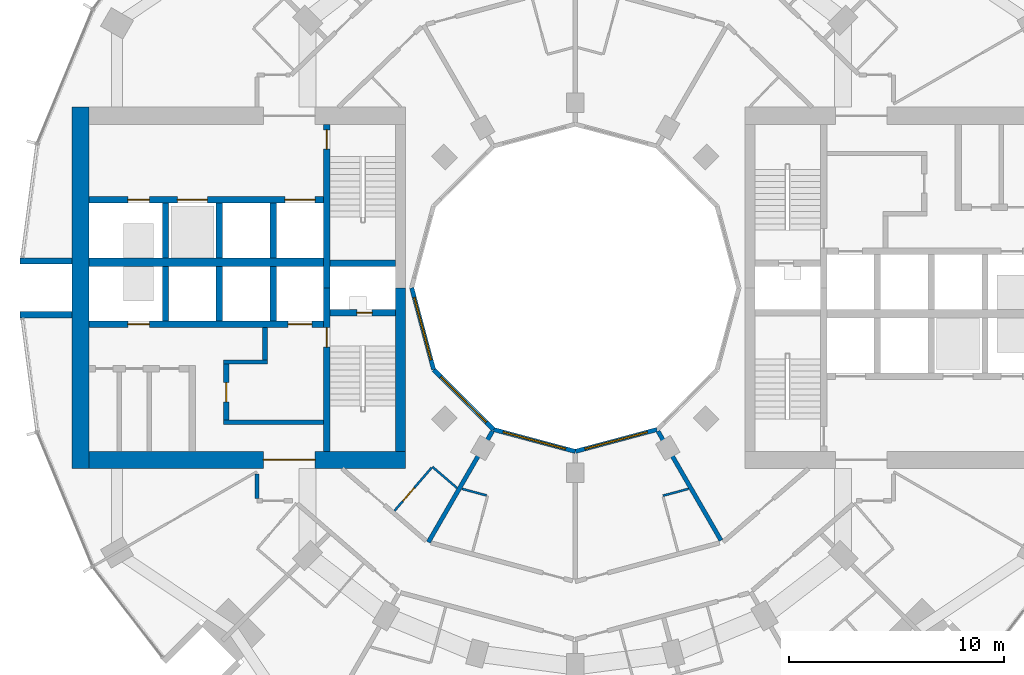
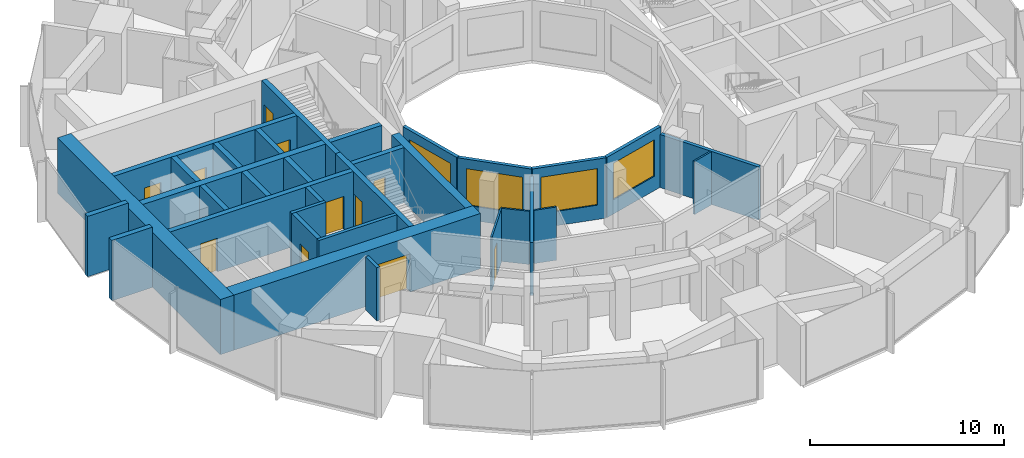
# One storey, part 9 of 15: 33 walls, 11 doors, 4 windows, 15 openings.
"""IFC4 building model written with IfcOpenShell, lengths in metres."""

from ifc_helpers import new_model, si_unit, direction, frame, frame_2d, origin, place, context, subcontext, project, spatial, rectangle, extrude, material, layer, layer_set, type_object, element, fill, save


model = new_model("IFC4")

# Units and contexts
model_context = context("Model", 3, precision=1e-05, world=origin(), true_north=direction((0.0, 1.0)))
body_context = subcontext(model_context, "Body", "Model", "MODEL_VIEW")
ifc_project = project(units=[si_unit("LENGTHUNIT", "METRE"), si_unit("AREAUNIT", "SQUARE_METRE"), si_unit("VOLUMEUNIT", "CUBIC_METRE"), si_unit("PLANEANGLEUNIT", "RADIAN"), si_unit("MASSUNIT", "GRAM", prefix="KILO")], contexts=[model_context])

# Site, building, storey
site_placement = place(None, origin())
site = spatial("IfcSite", under=ifc_project, at=site_placement, CompositionType="ELEMENT")
building_placement = place(site_placement, origin())
building = spatial("IfcBuilding", under=site, at=building_placement, Name="Torre Brocal", CompositionType="ELEMENT")
storey_placement = place(building_placement, frame((0.0, 0.0, 32.60009765625)))
storey = spatial("IfcBuildingStorey", under=building, at=storey_placement, Name="L06", CompositionType="ELEMENT", Elevation=32.60009765625)

# Walls
ifc_material_1 = material(Name="Concrete C80", Category="concrete")
ifc_layer_1 = layer(ifc_material_1, 0.199951171875)
ifc_layer_set_1 = layer_set([ifc_layer_1], Name="Concrete C80")
wall_type_1 = type_object("IfcWallType", Name="CORE WALL 200 C80", PredefinedType="SHEAR", material=ifc_layer_set_1)
wall_1_placement = place(storey_placement, frame((68.300048828125, 68.75, 0.0), z_axis=(0.0, 0.0, 1.0), x_axis=(-1.0, 0.0, 0.0)))
element("IfcWall", 1, at=wall_1_placement, inside=storey, type_object=wall_type_1, Name="Wall CW200-80", PredefinedType="SHEAR", context=body_context, shape_type="SweptSolid", body=[
    extrude(rectangle(XDim=4.650146484375, YDim=0.199951171875, at=frame_2d((2.3251953125, 0.0))), origin(), (0.0, 0.0, 1.0), 3.47998046875),
])
wall_2_placement = place(storey_placement, frame((65.699951171875, 71.550048828125, 0.0), z_axis=(0.0, 0.0, 1.0), x_axis=(-1.0, 0.0, 0.0)))
element("IfcWall", 2, at=wall_2_placement, inside=storey, type_object=wall_type_1, Name="Wall CW200-80", PredefinedType="SHEAR", context=body_context, shape_type="SweptSolid", body=[
    extrude(rectangle(XDim=2.050048828125, YDim=0.199951171875, at=frame_2d((1.02490234375, 0.0))), origin(), (0.0, 0.0, 1.0), 3.47998046875),
])

# Wall, opening, door
ifc_material_2 = material(Name="Concrete C80", Category="concrete")
ifc_layer_2 = layer(ifc_material_2, 0.25)
ifc_layer_set_2 = layer_set([ifc_layer_2], Name="Concrete C80")
wall_type_2 = type_object("IfcWallType", Name="CORE WALL 250 C80", PredefinedType="SHEAR", material=ifc_layer_set_2)
wall_3_placement = place(storey_placement, frame((63.77490234375, 71.449951171875, 0.0), z_axis=(0.0, 0.0, 1.0), x_axis=(0.0, -1.0, 0.0)))
wall_3 = element("IfcWall", 3, at=wall_3_placement, inside=storey, type_object=wall_type_2, Name="Wall CW250-80", PredefinedType="SHEAR", context=body_context, shape_type="SweptSolid", body=[
    extrude(rectangle(XDim=2.599853515625, YDim=0.25, at=frame_2d((1.2998046875, 0.0))), origin(), (0.0, 0.0, 1.0), 3.47998046875),
])
opening_1_placement = place(wall_3_placement, frame((0.85009765625, 0.0, 0.0)))
opening_1 = element("IfcOpeningElement", 4, at=opening_1_placement, cuts=wall_3, Name="Opening W-D15", PredefinedType="OPENING", context=body_context, shape_type="SweptSolid", body=[
    extrude(rectangle(XDim=0.89990234375, YDim=2.10009765625, at=frame_2d((0.449951171875, 1.050048828125))), frame((0.0, 0.135009765625, 0.0), z_axis=(0.0, -1.0, 0.0), x_axis=(1.0, 0.0, 0.0)), (0.0, 0.0, 1.0), 0.27001953125),
])
ifc_material_3 = material(Name="Steel A653", Category="steel")
door_type_1 = type_object("IfcDoorType", Name="LOBBY DOOR FD120 900X2100", OperationType="SINGLE_SWING_RIGHT", PredefinedType="DOOR", material=ifc_material_3)
door_1_placement = place(opening_1_placement, origin())
door_1 = element("IfcDoor", 5, at=door_1_placement, inside=storey, type_object=door_type_1, Name="Door W-D15", OperationType="SINGLE_SWING_LEFT", OverallHeight=2.10009765625, OverallWidth=0.89990234375, PredefinedType="DOOR", context=body_context, shape_type="SweptSolid", body=[
    extrude(rectangle(XDim=0.89990234375, YDim=2.10009765625, at=frame_2d((0.449951171875, 1.050048828125))), frame((0.0, 0.02490234375, 0.0), z_axis=(0.0, -1.0, 0.0), x_axis=(1.0, 0.0, 0.0)), (0.0, 0.0, 1.0), 0.050048828125),
])
fill(opening_1, door_1)

# Wall
wall_4_placement = place(storey_placement, frame((65.574951171875, 73.14990234375, 0.0), z_axis=(0.0, 0.0, 1.0), x_axis=(0.0, -1.0, 0.0)))
element("IfcWall", 6, at=wall_4_placement, inside=storey, type_object=wall_type_2, Name="Wall CW250-80", PredefinedType="SHEAR", context=body_context, shape_type="SweptSolid", body=[
    extrude(rectangle(XDim=1.5, YDim=0.25, at=frame_2d((0.75, 0.0))), origin(), (0.0, 0.0, 1.0), 3.47998046875),
])

# Wall, opening, door
ifc_material_4 = material(Name="Concrete C80", Category="concrete")
ifc_layer_3 = layer(ifc_material_4, 0.300048828125)
ifc_layer_set_3 = layer_set([ifc_layer_3], Name="Concrete C80")
wall_type_3 = type_object("IfcWallType", Name="CORE WALL 300 C80", PredefinedType="SHEAR", material=ifc_layer_set_3)
wall_5_placement = place(storey_placement, frame((68.449951171875, 75.0, 0.0), z_axis=(0.0, 0.0, 1.0), x_axis=(0.0, -1.0, 0.0)))
wall_5 = element("IfcWall", 7, at=wall_5_placement, inside=storey, type_object=wall_type_3, Name="Wall CW300-80", PredefinedType="SHEAR", context=body_context, shape_type="SweptSolid", body=[
    extrude(rectangle(XDim=7.60009765625, YDim=0.300048828125, at=frame_2d((3.800048828125, 0.0))), origin(), (0.0, 0.0, 1.0), 3.47998046875),
])
opening_2_placement = place(wall_5_placement, frame((1.85009765625, 0.0, 0.0)))
opening_2 = element("IfcOpeningElement", 8, at=opening_2_placement, cuts=wall_5, Name="Opening W-D02", PredefinedType="OPENING", context=body_context, shape_type="SweptSolid", body=[
    extrude(rectangle(XDim=0.89990234375, YDim=2.10009765625, at=frame_2d((0.449951171875, 1.050048828125))), frame((0.0, 0.159912109375, 0.0), z_axis=(0.0, -1.0, 0.0), x_axis=(1.0, 0.0, 0.0)), (0.0, 0.0, 1.0), 0.320068359375),
])
ifc_material_5 = material(Name="Steel A653", Category="steel")
door_type_2 = type_object("IfcDoorType", Name="STAIR DOOR FD120 900X2100", OperationType="SINGLE_SWING_RIGHT", PredefinedType="DOOR", material=ifc_material_5)
door_2_placement = place(opening_2_placement, origin())
door_2 = element("IfcDoor", 9, at=door_2_placement, inside=storey, type_object=door_type_2, Name="Door W-D02", OperationType="SINGLE_SWING_LEFT", OverallHeight=2.10009765625, OverallWidth=0.89990234375, PredefinedType="DOOR", context=body_context, shape_type="SweptSolid", body=[
    extrude(rectangle(XDim=0.89990234375, YDim=2.10009765625, at=frame_2d((0.449951171875, 1.050048828125))), frame((0.0, 0.02490234375, 0.0), z_axis=(0.0, -1.0, 0.0), x_axis=(1.0, 0.0, 0.0)), (0.0, 0.0, 1.0), 0.050048828125),
])
fill(opening_2, door_2)

wall_6_placement = place(storey_placement, frame((68.449951171875, 82.60009765625, 0.0), z_axis=(0.0, 0.0, 1.0), x_axis=(0.0, -1.0, 0.0)))
wall_6 = element("IfcWall", 10, at=wall_6_placement, inside=storey, type_object=wall_type_3, Name="Wall CW300-80", PredefinedType="SHEAR", context=body_context, shape_type="SweptSolid", body=[
    extrude(rectangle(XDim=7.60009765625, YDim=0.300048828125, at=frame_2d((3.800048828125, 0.0))), origin(), (0.0, 0.0, 1.0), 3.47998046875),
])
opening_3_placement = place(wall_6_placement, frame((0.25, 0.0, 0.0)))
opening_3 = element("IfcOpeningElement", 11, at=opening_3_placement, cuts=wall_6, Name="Opening W-D03", PredefinedType="OPENING", context=body_context, shape_type="SweptSolid", body=[
    extrude(rectangle(XDim=0.89990234375, YDim=2.10009765625, at=frame_2d((0.449951171875, 1.050048828125))), frame((0.0, 0.159912109375, 0.0), z_axis=(0.0, -1.0, 0.0), x_axis=(1.0, 0.0, 0.0)), (0.0, 0.0, 1.0), 0.320068359375),
])
door_3_placement = place(opening_3_placement, origin())
door_3 = element("IfcDoor", 12, at=door_3_placement, inside=storey, type_object=door_type_2, Name="Door W-D03", OperationType="SINGLE_SWING_LEFT", OverallHeight=2.10009765625, OverallWidth=0.89990234375, PredefinedType="DOOR", context=body_context, shape_type="SweptSolid", body=[
    extrude(rectangle(XDim=0.89990234375, YDim=2.10009765625, at=frame_2d((0.449951171875, 1.050048828125))), frame((0.0, 0.02490234375, 0.0), z_axis=(0.0, -1.0, 0.0), x_axis=(1.0, 0.0, 0.0)), (0.0, 0.0, 1.0), 0.050048828125),
])
fill(opening_3, door_3)

wall_7_placement = place(storey_placement, frame((71.64990234375, 73.85009765625, 0.0), z_axis=(0.0, 0.0, 1.0), x_axis=(-1.0, 0.0, 0.0)))
wall_7 = element("IfcWall", 13, at=wall_7_placement, inside=storey, type_object=wall_type_3, Name="Wall CW300-80", PredefinedType="SHEAR", context=body_context, shape_type="SweptSolid", body=[
    extrude(rectangle(XDim=3.0498046875, YDim=0.300048828125, at=frame_2d((1.52490234375, 0.0))), origin(), (0.0, 0.0, 1.0), 3.47998046875),
])
opening_4_placement = place(wall_7_placement, frame((1.10009765625, 0.0, 0.0)))
opening_4 = element("IfcOpeningElement", 14, at=opening_4_placement, cuts=wall_7, Name="Opening W-D01", PredefinedType="OPENING", context=body_context, shape_type="SweptSolid", body=[
    extrude(rectangle(XDim=0.699951171875, YDim=2.0, at=frame_2d((0.35009765625, 1.0))), frame((0.0, 0.159912109375, 0.0), z_axis=(0.0, -1.0, 0.0), x_axis=(1.0, 0.0, 0.0)), (0.0, 0.0, 1.0), 0.320068359375),
])
ifc_material_6 = material(Name="Steel A653", Category="steel")
door_type_3 = type_object("IfcDoorType", Name="RISER DOOR FD120 700X2000", OperationType="SINGLE_SWING_LEFT", PredefinedType="DOOR", material=ifc_material_6)
door_4_placement = place(opening_4_placement, frame((0.699951171875, 0.0, 0.0), z_axis=(0.0, 0.0, 1.0), x_axis=(-1.0, 0.0, 0.0)))
door_4 = element("IfcDoor", 15, at=door_4_placement, inside=storey, type_object=door_type_3, Name="Door W-D01", OperationType="SINGLE_SWING_RIGHT", OverallHeight=2.0, OverallWidth=0.699951171875, PredefinedType="DOOR", context=body_context, shape_type="SweptSolid", body=[
    extrude(rectangle(XDim=0.699951171875, YDim=2.0, at=frame_2d((0.35009765625, 1.0))), frame((0.0, 0.02490234375, 0.0), z_axis=(0.0, -1.0, 0.0), x_axis=(1.0, 0.0, 0.0)), (0.0, 0.0, 1.0), 0.050048828125),
])
fill(opening_4, door_4)

# Wall
wall_8_placement = place(storey_placement, frame((71.64990234375, 76.14990234375, 0.0), z_axis=(0.0, 0.0, 1.0), x_axis=(-1.0, 0.0, 0.0)))
element("IfcWall", 16, at=wall_8_placement, inside=storey, type_object=wall_type_3, Name="Wall CW300-80", PredefinedType="SHEAR", context=body_context, shape_type="SweptSolid", body=[
    extrude(rectangle(XDim=3.0498046875, YDim=0.300048828125, at=frame_2d((1.52490234375, 0.0))), origin(), (0.0, 0.0, 1.0), 3.47998046875),
])

# Wall, openings, doors
wall_9_placement = place(storey_placement, frame((68.300048828125, 73.300048828125, 0.0), z_axis=(0.0, 0.0, 1.0), x_axis=(-1.0, 0.0, 0.0)))
wall_9 = element("IfcWall", 17, at=wall_9_placement, inside=storey, type_object=wall_type_3, Name="Wall CW300-80", PredefinedType="SHEAR", context=body_context, shape_type="SweptSolid", body=[
    extrude(rectangle(XDim=10.900146484375, YDim=0.300048828125, at=frame_2d((5.4501953125, 0.0))), origin(), (0.0, 0.0, 1.0), 3.47998046875),
])
opening_5_placement = place(wall_9_placement, frame((0.550048828125, 0.0, 0.0)))
opening_5 = element("IfcOpeningElement", 18, at=opening_5_placement, cuts=wall_9, Name="Opening LD", PredefinedType="OPENING", context=body_context, shape_type="SweptSolid", body=[
    extrude(rectangle(XDim=1.10009765625, YDim=2.10009765625, at=frame_2d((0.550048828125, 1.050048828125))), frame((0.0, 0.159912109375, 0.0), z_axis=(0.0, -1.0, 0.0), x_axis=(1.0, 0.0, 0.0)), (0.0, 0.0, 1.0), 0.320068359375),
])
opening_6_placement = place(wall_9_placement, frame((8.10009765625, 0.0, 0.0)))
opening_6 = element("IfcOpeningElement", 19, at=opening_6_placement, cuts=wall_9, Name="Opening LD10", PredefinedType="OPENING", context=body_context, shape_type="SweptSolid", body=[
    extrude(rectangle(XDim=1.0, YDim=2.10009765625, at=frame_2d((0.5, 1.050048828125))), frame((0.0, 0.159912109375, 0.0), z_axis=(0.0, -1.0, 0.0), x_axis=(1.0, 0.0, 0.0)), (0.0, 0.0, 1.0), 0.320068359375),
])
ifc_material_7 = material(Name="Stainless steel AISI 316", Category="steel")
door_type_4 = type_object("IfcDoorType", Name="LIFT LANDING DOOR 1000X2100", OperationType="DOUBLE_DOOR_SLIDING", PredefinedType="DOOR", material=ifc_material_7)
door_5_placement = place(opening_6_placement, origin())
door_5 = element("IfcDoor", 20, at=door_5_placement, inside=storey, type_object=door_type_4, Name="Door LD10", OperationType="DOUBLE_DOOR_SLIDING", OverallHeight=2.10009765625, OverallWidth=1.0, PredefinedType="DOOR", context=body_context, shape_type="SweptSolid", body=[
    extrude(rectangle(XDim=1.0, YDim=2.10009765625, at=frame_2d((0.5, 1.050048828125))), frame((0.0, 0.02490234375, 0.0), z_axis=(0.0, -1.0, 0.0), x_axis=(1.0, 0.0, 0.0)), (0.0, 0.0, 1.0), 0.050048828125),
])
fill(opening_6, door_5)
ifc_material_8 = material(Name="Stainless steel AISI 316", Category="steel")
door_type_5 = type_object("IfcDoorType", Name="LIFT LANDING DOOR 1100X2100", OperationType="DOUBLE_DOOR_SLIDING", PredefinedType="DOOR", material=ifc_material_8)
door_6_placement = place(opening_5_placement, origin())
door_6 = element("IfcDoor", 21, at=door_6_placement, inside=storey, type_object=door_type_5, Name="Door LD", OperationType="DOUBLE_DOOR_SLIDING", OverallHeight=2.10009765625, OverallWidth=1.10009765625, PredefinedType="DOOR", context=body_context, shape_type="SweptSolid", body=[
    extrude(rectangle(XDim=1.10009765625, YDim=2.10009765625, at=frame_2d((0.550048828125, 1.050048828125))), frame((0.0, 0.02490234375, 0.0), z_axis=(0.0, -1.0, 0.0), x_axis=(1.0, 0.0, 0.0)), (0.0, 0.0, 1.0), 0.050048828125),
])
fill(opening_5, door_6)

wall_10_placement = place(storey_placement, frame((68.300048828125, 79.10009765625, 0.0), z_axis=(0.0, 0.0, 1.0), x_axis=(-1.0, 0.0, 0.0)))
wall_10 = element("IfcWall", 22, at=wall_10_placement, inside=storey, type_object=wall_type_3, Name="Wall CW300-80", PredefinedType="SHEAR", context=body_context, shape_type="SweptSolid", body=[
    extrude(rectangle(XDim=10.900146484375, YDim=0.300048828125, at=frame_2d((5.4501953125, 0.0))), origin(), (0.0, 0.0, 1.0), 3.47998046875),
])
opening_7_placement = place(wall_10_placement, frame((0.39990234375, 0.0, 0.0)))
opening_7 = element("IfcOpeningElement", 23, at=opening_7_placement, cuts=wall_10, Name="Opening LD14", PredefinedType="OPENING", context=body_context, shape_type="SweptSolid", body=[
    extrude(rectangle(XDim=1.39990234375, YDim=2.10009765625, at=frame_2d((0.699951171875, 1.050048828125))), frame((0.0, 0.159912109375, 0.0), z_axis=(0.0, -1.0, 0.0), x_axis=(1.0, 0.0, 0.0)), (0.0, 0.0, 1.0), 0.320068359375),
])
opening_8_placement = place(wall_10_placement, frame((5.39990234375, 0.0, 0.0)))
opening_8 = element("IfcOpeningElement", 24, at=opening_8_placement, cuts=wall_10, Name="Opening LD14", PredefinedType="OPENING", context=body_context, shape_type="SweptSolid", body=[
    extrude(rectangle(XDim=1.39990234375, YDim=2.10009765625, at=frame_2d((0.699951171875, 1.050048828125))), frame((0.0, 0.159912109375, 0.0), z_axis=(0.0, -1.0, 0.0), x_axis=(1.0, 0.0, 0.0)), (0.0, 0.0, 1.0), 0.320068359375),
])
opening_9_placement = place(wall_10_placement, frame((8.10009765625, 0.0, 0.0)))
opening_9 = element("IfcOpeningElement", 25, at=opening_9_placement, cuts=wall_10, Name="Opening LD10", PredefinedType="OPENING", context=body_context, shape_type="SweptSolid", body=[
    extrude(rectangle(XDim=1.0, YDim=2.10009765625, at=frame_2d((0.5, 1.050048828125))), frame((0.0, 0.159912109375, 0.0), z_axis=(0.0, -1.0, 0.0), x_axis=(1.0, 0.0, 0.0)), (0.0, 0.0, 1.0), 0.320068359375),
])
door_7_placement = place(opening_9_placement, origin())
door_7 = element("IfcDoor", 26, at=door_7_placement, inside=storey, type_object=door_type_4, Name="Door LD10", OperationType="DOUBLE_DOOR_SLIDING", OverallHeight=2.10009765625, OverallWidth=1.0, PredefinedType="DOOR", context=body_context, shape_type="SweptSolid", body=[
    extrude(rectangle(XDim=1.0, YDim=2.10009765625, at=frame_2d((0.5, 1.050048828125))), frame((0.0, 0.02490234375, 0.0), z_axis=(0.0, -1.0, 0.0), x_axis=(1.0, 0.0, 0.0)), (0.0, 0.0, 1.0), 0.050048828125),
])
fill(opening_9, door_7)
ifc_material_9 = material(Name="Stainless steel AISI 316", Category="steel")
door_type_6 = type_object("IfcDoorType", Name="LIFT LANDING DOOR 1400X2100", OperationType="DOUBLE_DOOR_SLIDING", PredefinedType="DOOR", material=ifc_material_9)
door_8_placement = place(opening_7_placement, origin())
door_8 = element("IfcDoor", 27, at=door_8_placement, inside=storey, type_object=door_type_6, Name="Door LD14", OperationType="DOUBLE_DOOR_SLIDING", OverallHeight=2.10009765625, OverallWidth=1.39990234375, PredefinedType="DOOR", context=body_context, shape_type="SweptSolid", body=[
    extrude(rectangle(XDim=1.39990234375, YDim=2.10009765625, at=frame_2d((0.699951171875, 1.050048828125))), frame((0.0, 0.02490234375, 0.0), z_axis=(0.0, -1.0, 0.0), x_axis=(1.0, 0.0, 0.0)), (0.0, 0.0, 1.0), 0.050048828125),
])
fill(opening_7, door_8)
door_9_placement = place(opening_8_placement, origin())
door_9 = element("IfcDoor", 28, at=door_9_placement, inside=storey, type_object=door_type_6, Name="Door LD14", OperationType="DOUBLE_DOOR_SLIDING", OverallHeight=2.10009765625, OverallWidth=1.39990234375, PredefinedType="DOOR", context=body_context, shape_type="SweptSolid", body=[
    extrude(rectangle(XDim=1.39990234375, YDim=2.10009765625, at=frame_2d((0.699951171875, 1.050048828125))), frame((0.0, 0.02490234375, 0.0), z_axis=(0.0, -1.0, 0.0), x_axis=(1.0, 0.0, 0.0)), (0.0, 0.0, 1.0), 0.050048828125),
])
fill(opening_8, door_9)

# Walls
for number, where, z_axis, x_axis, name in (
    (29, (65.949951171875, 76.0, 0.0), (0.0, 0.0, 1.0), (0.0, -1.0, 0.0), "Wall CW300-80"),
    (30, (63.449951171875, 76.0, 0.0), (0.0, 0.0, 1.0), (0.0, -1.0, 0.0), "Wall CW300-80"),
    (31, (60.949951171875, 76.0, 0.0), (0.0, 0.0, 1.0), (0.0, -1.0, 0.0), "Wall CW300-80"),
    (32, (65.949951171875, 78.949951171875, 0.0), (0.0, 0.0, 1.0), (0.0, -1.0, 0.0), "Wall CW300-80"),
    (33, (63.449951171875, 78.949951171875, 0.0), (0.0, 0.0, 1.0), (0.0, -1.0, 0.0), "Wall CW300-80"),
    (34, (60.949951171875, 78.949951171875, 0.0), (0.0, 0.0, 1.0), (0.0, -1.0, 0.0), "Wall CW300-80"),
):
    element("IfcWall", number, at=place(storey_placement, frame(where, z_axis=z_axis, x_axis=x_axis)), inside=storey, type_object=wall_type_3, Name=name, PredefinedType="SHEAR", context=body_context, shape_type="SweptSolid", body=[
        extrude(rectangle(XDim=2.550048828125, YDim=0.300048828125, at=frame_2d((1.27490234375, 0.0))), origin(), (0.0, 0.0, 1.0), 3.47998046875),
    ])
ifc_material_10 = material(Name="Concrete C80", Category="concrete")
ifc_layer_4 = layer(ifc_material_10, 0.39990234375)
ifc_layer_set_4 = layer_set([ifc_layer_4], Name="Concrete C80")
wall_type_4 = type_object("IfcWallType", Name="CORE WALL 400 C80", PredefinedType="SHEAR", material=ifc_layer_set_4)
wall_11_placement = place(storey_placement, frame((68.300048828125, 76.199951171875, 0.0), z_axis=(0.0, 0.0, 1.0), x_axis=(-1.0, 0.0, 0.0)))
element("IfcWall", 35, at=wall_11_placement, inside=storey, type_object=wall_type_4, Name="Wall CW400-80", PredefinedType="SHEAR", context=body_context, shape_type="SweptSolid", body=[
    extrude(rectangle(XDim=10.900146484375, YDim=0.39990234375, at=frame_2d((5.4501953125, 0.0))), origin(), (0.0, 0.0, 1.0), 3.47998046875),
])
ifc_material_11 = material(Name="Concrete C80", Category="concrete")
ifc_layer_5 = layer(ifc_material_11, 0.449951171875)
ifc_layer_set_5 = layer_set([ifc_layer_5], Name="Concrete C80")
wall_type_5 = type_object("IfcWallType", Name="CORE WALL 450 C80", PredefinedType="SHEAR", material=ifc_layer_set_5)
wall_12_placement = place(storey_placement, frame((71.875, 75.0, 0.0), z_axis=(0.0, 0.0, 1.0), x_axis=(0.0, -1.0, 0.0)))
element("IfcWall", 36, at=wall_12_placement, inside=storey, type_object=wall_type_5, Name="Wall CW450-80", PredefinedType="SHEAR", context=body_context, shape_type="SweptSolid", body=[
    extrude(rectangle(XDim=7.60009765625, YDim=0.449951171875, at=frame_2d((3.800048828125, 0.0))), origin(), (0.0, 0.0, 1.0), 3.47998046875),
])

# Wall, opening, door
ifc_material_12 = material(Name="Concrete C80", Category="concrete")
ifc_layer_6 = layer(ifc_material_12, 0.800048828125)
ifc_layer_set_6 = layer_set([ifc_layer_6], Name="Concrete C80")
wall_type_6 = type_object("IfcWallType", Name="CORE WALL 800 C80", PredefinedType="SHEAR", material=ifc_layer_set_6)
wall_13_placement = place(storey_placement, frame((72.10009765625, 67.0, 0.0), z_axis=(0.0, 0.0, 1.0), x_axis=(-1.0, 0.0, 0.0)))
wall_13 = element("IfcWall", 37, at=wall_13_placement, inside=storey, type_object=wall_type_6, Name="Wall CW800-80", PredefinedType="SHEAR", context=body_context, shape_type="SweptSolid", body=[
    extrude(rectangle(XDim=14.7001953125, YDim=0.800048828125, at=frame_2d((7.35009765625, 0.0))), origin(), (0.0, 0.0, 1.0), 3.47998046875),
])
opening_10_placement = place(wall_13_placement, frame((4.199951171875, 0.0, 0.0)))
opening_10 = element("IfcOpeningElement", 38, at=opening_10_placement, cuts=wall_13, Name="Opening W-D27", PredefinedType="OPENING", context=body_context, shape_type="SweptSolid", body=[
    extrude(rectangle(XDim=2.39990234375, YDim=2.39990234375, at=frame_2d((1.199951171875, 1.199951171875))), frame((0.0, 0.409912109375, 0.0), z_axis=(0.0, -1.0, 0.0), x_axis=(1.0, 0.0, 0.0)), (0.0, 0.0, 1.0), 0.820068359375),
])
ifc_material_13 = material(Name="Steel A653", Category="steel")
door_type_7 = type_object("IfcDoorType", Name="DOUBLE FIRE DOOR FD90 2400X2400", OperationType="DOUBLE_DOOR_SINGLE_SWING", PredefinedType="DOOR", material=ifc_material_13)
door_10_placement = place(opening_10_placement, frame((2.39990234375, 0.0, 0.0), z_axis=(0.0, 0.0, 1.0), x_axis=(-1.0, 0.0, 0.0)))
door_10 = element("IfcDoor", 39, at=door_10_placement, inside=storey, type_object=door_type_7, Name="Door W-D27", OperationType="DOUBLE_DOOR_SINGLE_SWING", OverallHeight=2.39990234375, OverallWidth=2.39990234375, PredefinedType="DOOR", context=body_context, shape_type="SweptSolid", body=[
    extrude(rectangle(XDim=2.39990234375, YDim=2.39990234375, at=frame_2d((1.199951171875, 1.199951171875))), frame((0.0, 0.02490234375, 0.0), z_axis=(0.0, -1.0, 0.0), x_axis=(1.0, 0.0, 0.0)), (0.0, 0.0, 1.0), 0.050048828125),
])
fill(opening_10, door_10)

# Walls
wall_14_placement = place(storey_placement, frame((57.0, 83.39990234375, 0.0), z_axis=(0.0, 0.0, 1.0), x_axis=(0.0, -1.0, 0.0)))
element("IfcWall", 40, at=wall_14_placement, inside=storey, type_object=wall_type_6, Name="Wall CW800-80", PredefinedType="SHEAR", context=body_context, shape_type="SweptSolid", body=[
    extrude(rectangle(XDim=16.7998046875, YDim=0.800048828125, at=frame_2d((8.39990234375, 0.0))), origin(), (0.0, 0.0, 1.0), 3.47998046875),
])
ifc_material_14 = material(Name="Concrete C80", Category="concrete")
ifc_layer_7 = layer(ifc_material_14, 0.300048828125)
ifc_layer_set_7 = layer_set([ifc_layer_7], Name="Concrete C80")
wall_type_7 = type_object("IfcWallType", Name="NOTCH RETURN WALL 300 C80", PredefinedType="NOTDEFINED", material=ifc_layer_set_7)
for number, where, z_axis, x_axis, name in (
    (41, (56.60009765625, 76.25, 0.0), (0.0, 0.0, 1.0), (-1.0, 0.0, 0.0), "NOTCH RETURN WALL"),
    (42, (56.60009765625, 73.75, 0.0), (0.0, 0.0, 1.0), (-1.0, 0.0, 0.0), "NOTCH RETURN WALL"),
):
    element("IfcWall", number, at=place(storey_placement, frame(where, z_axis=z_axis, x_axis=x_axis)), inside=storey, type_object=wall_type_7, Name=name, PredefinedType="NOTDEFINED", context=body_context, shape_type="SweptSolid", body=[
        extrude(rectangle(XDim=2.415771484375, YDim=0.300048828125, at=frame_2d((1.2080078125, 0.0))), origin(), (0.0, 0.0, 1.0), 3.7998046875),
    ])

# Wall, opening, door
ifc_material_15 = material(Name="Gypsum board", Category="Gypsum")
ifc_layer_8 = layer(ifc_material_15, 0.10009765625)
ifc_layer_set_8 = layer_set([ifc_layer_8], Name="Gypsum board")
wall_type_8 = type_object("IfcWallType", Name="PARTITION 100", PredefinedType="PARTITIONING", material=ifc_layer_set_8)
wall_15_placement = place(storey_placement, frame((71.59619140625, 64.634765625, 0.0), z_axis=(0.0, 0.0, 1.0), x_axis=(0.652285007511, 0.757973791748, 0.0)))
wall_15 = element("IfcWall", 43, at=wall_15_placement, inside=storey, type_object=wall_type_8, Name="BATHROOM WALL", PredefinedType="PARTITIONING", context=body_context, shape_type="SweptSolid", body=[
    extrude(rectangle(XDim=2.649658203125, YDim=0.10009765625, at=frame_2d((1.32470703125, 0.0))), origin(), (0.0, 0.0, 1.0), 3.349853515625),
])
opening_11_placement = place(wall_15_placement, frame((0.599609375, 0.0, 0.0)))
opening_11 = element("IfcOpeningElement", 44, at=opening_11_placement, cuts=wall_15, Name="Opening H01-D49", PredefinedType="OPENING", context=body_context, shape_type="SweptSolid", body=[
    extrude(rectangle(XDim=0.800048828125, YDim=2.10009765625, at=frame_2d((0.39990234375, 1.050048828125))), frame((0.0, 0.06005859375, 0.0), z_axis=(0.0, -1.0, 0.0), x_axis=(1.0, 0.0, 0.0)), (0.0, 0.0, 1.0), 0.1201171875),
])
ifc_material_16 = material(Name="Timber", Category="wood")
door_type_8 = type_object("IfcDoorType", Name="BATHROOM DOOR 800X2100", OperationType="SINGLE_SWING_LEFT", PredefinedType="DOOR", material=ifc_material_16)
door_11_placement = place(opening_11_placement, frame((0.800048828125, 0.0, 0.0), z_axis=(0.0, 0.0, 1.0), x_axis=(-1.0, 0.0, 0.0)))
door_11 = element("IfcDoor", 45, at=door_11_placement, inside=storey, type_object=door_type_8, Name="H01-D49", OperationType="SINGLE_SWING_RIGHT", OverallHeight=2.10009765625, OverallWidth=0.800048828125, PredefinedType="DOOR", context=body_context, shape_type="SweptSolid", body=[
    extrude(rectangle(XDim=0.800048828125, YDim=2.10009765625, at=frame_2d((0.39990234375, 1.050048828125))), frame((0.0, 0.02490234375, 0.0), z_axis=(0.0, -1.0, 0.0), x_axis=(1.0, 0.0, 0.0)), (0.0, 0.0, 1.0), 0.050048828125),
])
fill(opening_11, door_11)

# Walls
wall_16_placement = place(storey_placement, frame((73.35693359375, 66.680908203125, 0.0), z_axis=(0.0, 0.0, 1.0), x_axis=(0.758263469747, -0.651948242154, 0.0)))
element("IfcWall", 46, at=wall_16_placement, inside=storey, type_object=wall_type_8, Name="BATHROOM WALL", PredefinedType="PARTITIONING", context=body_context, shape_type="SweptSolid", body=[
    extrude(rectangle(XDim=1.510986328125, YDim=0.10009765625, at=frame_2d((0.75537109375, 0.0))), origin(), (0.0, 0.0, 1.0), 3.349853515625),
])
wall_17_placement = place(storey_placement, frame((74.729248046875, 65.657470703125, 0.0), z_axis=(0.0, 0.0, 1.0), x_axis=(0.965948051503, -0.258736085224, 0.0)))
element("IfcWall", 47, at=wall_17_placement, inside=storey, type_object=wall_type_8, Name="BATHROOM WALL", PredefinedType="PARTITIONING", context=body_context, shape_type="SweptSolid", body=[
    extrude(rectangle(XDim=1.18896484375, YDim=0.10009765625, at=frame_2d((0.594482421875, 0.0))), origin(), (0.0, 0.0, 1.0), 3.349853515625),
])
wall_18_placement = place(storey_placement, frame((84.073974609375, 65.3369140625, 0.0), z_axis=(0.0, 0.0, 1.0), x_axis=(0.965914351064, 0.258861867428, 0.0)))
element("IfcWall", 48, at=wall_18_placement, inside=storey, type_object=wall_type_8, Name="BATHROOM WALL", PredefinedType="PARTITIONING", context=body_context, shape_type="SweptSolid", body=[
    extrude(rectangle(XDim=1.22900390625, YDim=0.10009765625, at=frame_2d((0.614501953125, 0.0))), origin(), (0.0, 0.0, 1.0), 3.349853515625),
])
ifc_material_17 = material(Name="Gypsum board", Category="Gypsum")
ifc_layer_9 = layer(ifc_material_17, 0.199951171875)
ifc_layer_set_9 = layer_set([ifc_layer_9], Name="Gypsum board")
wall_type_9 = type_object("IfcWallType", Name="PARTITION 200 EI60", PredefinedType="PARTITIONING", material=ifc_layer_set_9)
wall_19_placement = place(storey_placement, frame((65.199951171875, 65.199951171875, 0.0), z_axis=(0.0, 0.0, 1.0), x_axis=(0.0, 1.0, 0.0)))
element("IfcWall", 49, at=wall_19_placement, inside=storey, type_object=wall_type_9, Name="GUESTROOM CORRIDOR WALL", PredefinedType="PARTITIONING", context=body_context, shape_type="SweptSolid", body=[
    extrude(rectangle(XDim=1.150146484375, YDim=0.199951171875, at=frame_2d((0.5751953125, 0.0))), origin(), (0.0, 0.0, 1.0), 3.349853515625),
])
wall_20_placement = place(storey_placement, frame((73.1708984375, 63.17724609375, 0.0), z_axis=(0.0, 0.0, 1.0), x_axis=(0.500257106344, 0.865876912472, 0.0)))
element("IfcWall", 50, at=wall_20_placement, inside=storey, type_object=wall_type_9, Name="BATHROOM WALL", PredefinedType="PARTITIONING", context=body_context, shape_type="SweptSolid", body=[
    extrude(rectangle(XDim=5.954833984375, YDim=0.199951171875, at=frame_2d((2.9775390625, 0.0))), origin(), (0.0, 0.0, 1.0), 3.349853515625),
])
wall_21_placement = place(storey_placement, frame((83.84814453125, 68.33251953125, 0.0), z_axis=(0.0, 0.0, 1.0), x_axis=(0.499951054106, -0.866053660865, 0.0)))
element("IfcWall", 51, at=wall_21_placement, inside=storey, type_object=wall_type_9, Name="BATHROOM WALL", PredefinedType="PARTITIONING", context=body_context, shape_type="SweptSolid", body=[
    extrude(rectangle(XDim=5.85498046875, YDim=0.199951171875, at=frame_2d((2.927490234375, 0.0))), origin(), (0.0, 0.0, 1.0), 3.349853515625),
])

# Wall, opening, window
ifc_material_18 = material(Name="Concrete C40", Category="concrete")
ifc_layer_10 = layer(ifc_material_18, 0.199951171875)
ifc_layer_set_10 = layer_set([ifc_layer_10], Name="Concrete C40")
wall_type_10 = type_object("IfcWallType", Name="WELL FACADE WALL 200", PredefinedType="NOTDEFINED", material=ifc_layer_set_10)
wall_22_placement = place(storey_placement, frame((72.396484375, 75.0, 0.0), z_axis=(0.0, 0.0, 1.0), x_axis=(0.258789828301, -0.965933654434, 0.0)))
wall_22 = element("IfcWall", 52, at=wall_22_placement, inside=storey, type_object=wall_type_10, Name="WELL FACADE WALL", PredefinedType="NOTDEFINED", context=body_context, shape_type="SweptSolid", body=[
    extrude(rectangle(XDim=3.935791015625, YDim=0.199951171875, at=frame_2d((1.9677734375, 0.0))), origin(), (0.0, 0.0, 1.0), 3.7998046875),
])
opening_12_placement = place(wall_22_placement, frame((0.468017578125, 0.0, 0.89990234375)))
opening_12 = element("IfcOpeningElement", 53, at=opening_12_placement, cuts=wall_22, Name="Opening W1", PredefinedType="OPENING", context=body_context, shape_type="SweptSolid", body=[
    extrude(rectangle(XDim=3.0, YDim=2.300048828125, at=frame_2d((1.5, 1.14990234375))), frame((0.0, 0.10986328125, 0.0), z_axis=(0.0, -1.0, 0.0), x_axis=(1.0, 0.0, 0.0)), (0.0, 0.0, 1.0), 0.219970703125),
])
ifc_material_19 = material(Name="Aluminium and glass", Category="aluminium")
window_type = type_object("IfcWindowType", Name="WELL WINDOW 3000X2300", PartitioningType="SINGLE_PANEL", PredefinedType="WINDOW", material=ifc_material_19)
window_1_placement = place(opening_12_placement, origin())
window_1 = element("IfcWindow", 54, at=window_1_placement, inside=storey, type_object=window_type, Name="WELL WINDOW 3000X2300", OverallHeight=2.300048828125, OverallWidth=3.0, PartitioningType="SINGLE_PANEL", PredefinedType="WINDOW", context=body_context, shape_type="SweptSolid", body=[
    extrude(rectangle(XDim=3.0, YDim=2.300048828125, at=frame_2d((1.5, 1.14990234375))), frame((0.0, 0.030029296875, 0.0), z_axis=(0.0, -1.0, 0.0), x_axis=(1.0, 0.0, 0.0)), (0.0, 0.0, 1.0), 0.06005859375),
])
fill(opening_12, window_1)

wall_23_placement = place(storey_placement, frame((73.4150390625, 71.1982421875, 0.0), z_axis=(0.0, 0.0, 1.0), x_axis=(0.707106781187, -0.707106781187, 0.0)))
wall_23 = element("IfcWall", 55, at=wall_23_placement, inside=storey, type_object=wall_type_10, Name="WELL FACADE WALL", PredefinedType="NOTDEFINED", context=body_context, shape_type="SweptSolid", body=[
    extrude(rectangle(XDim=3.93603515625, YDim=0.199951171875, at=frame_2d((1.968017578125, 0.0))), origin(), (0.0, 0.0, 1.0), 3.7998046875),
])
opening_13_placement = place(wall_23_placement, frame((0.468017578125, 0.0, 0.89990234375)))
opening_13 = element("IfcOpeningElement", 56, at=opening_13_placement, cuts=wall_23, Name="Opening W1", PredefinedType="OPENING", context=body_context, shape_type="SweptSolid", body=[
    extrude(rectangle(XDim=3.0, YDim=2.300048828125, at=frame_2d((1.5, 1.14990234375))), frame((0.0, 0.10986328125, 0.0), z_axis=(0.0, -1.0, 0.0), x_axis=(1.0, 0.0, 0.0)), (0.0, 0.0, 1.0), 0.219970703125),
])
window_2_placement = place(opening_13_placement, origin())
window_2 = element("IfcWindow", 57, at=window_2_placement, inside=storey, type_object=window_type, Name="WELL WINDOW 3000X2300", OverallHeight=2.300048828125, OverallWidth=3.0, PartitioningType="SINGLE_PANEL", PredefinedType="WINDOW", context=body_context, shape_type="SweptSolid", body=[
    extrude(rectangle(XDim=3.0, YDim=2.300048828125, at=frame_2d((1.5, 1.14990234375))), frame((0.0, 0.030029296875, 0.0), z_axis=(0.0, -1.0, 0.0), x_axis=(1.0, 0.0, 0.0)), (0.0, 0.0, 1.0), 0.06005859375),
])
fill(opening_13, window_2)

wall_24_placement = place(storey_placement, frame((76.1982421875, 68.4150390625, 0.0), z_axis=(0.0, 0.0, 1.0), x_axis=(0.965933654434, -0.258789828301, 0.0)))
wall_24 = element("IfcWall", 58, at=wall_24_placement, inside=storey, type_object=wall_type_10, Name="WELL FACADE WALL", PredefinedType="NOTDEFINED", context=body_context, shape_type="SweptSolid", body=[
    extrude(rectangle(XDim=3.935791015625, YDim=0.199951171875, at=frame_2d((1.9677734375, 0.0))), origin(), (0.0, 0.0, 1.0), 3.7998046875),
])
opening_14_placement = place(wall_24_placement, frame((0.468017578125, 0.0, 0.89990234375)))
opening_14 = element("IfcOpeningElement", 59, at=opening_14_placement, cuts=wall_24, Name="Opening W1", PredefinedType="OPENING", context=body_context, shape_type="SweptSolid", body=[
    extrude(rectangle(XDim=3.0, YDim=2.300048828125, at=frame_2d((1.5, 1.14990234375))), frame((0.0, 0.10986328125, 0.0), z_axis=(0.0, -1.0, 0.0), x_axis=(1.0, 0.0, 0.0)), (0.0, 0.0, 1.0), 0.219970703125),
])
window_3_placement = place(opening_14_placement, origin())
window_3 = element("IfcWindow", 60, at=window_3_placement, inside=storey, type_object=window_type, Name="WELL WINDOW 3000X2300", OverallHeight=2.300048828125, OverallWidth=3.0, PartitioningType="SINGLE_PANEL", PredefinedType="WINDOW", context=body_context, shape_type="SweptSolid", body=[
    extrude(rectangle(XDim=3.0, YDim=2.300048828125, at=frame_2d((1.5, 1.14990234375))), frame((0.0, 0.030029296875, 0.0), z_axis=(0.0, -1.0, 0.0), x_axis=(1.0, 0.0, 0.0)), (0.0, 0.0, 1.0), 0.06005859375),
])
fill(opening_14, window_3)

wall_25_placement = place(storey_placement, frame((80.0, 67.396484375, 0.0), z_axis=(0.0, 0.0, 1.0), x_axis=(0.965933654434, 0.258789828301, 0.0)))
wall_25 = element("IfcWall", 61, at=wall_25_placement, inside=storey, type_object=wall_type_10, Name="WELL FACADE WALL", PredefinedType="NOTDEFINED", context=body_context, shape_type="SweptSolid", body=[
    extrude(rectangle(XDim=3.935791015625, YDim=0.199951171875, at=frame_2d((1.9677734375, 0.0))), origin(), (0.0, 0.0, 1.0), 3.7998046875),
])
opening_15_placement = place(wall_25_placement, frame((0.468017578125, 0.0, 0.89990234375)))
opening_15 = element("IfcOpeningElement", 62, at=opening_15_placement, cuts=wall_25, Name="Opening W1", PredefinedType="OPENING", context=body_context, shape_type="SweptSolid", body=[
    extrude(rectangle(XDim=3.0, YDim=2.300048828125, at=frame_2d((1.5, 1.14990234375))), frame((0.0, 0.10986328125, 0.0), z_axis=(0.0, -1.0, 0.0), x_axis=(1.0, 0.0, 0.0)), (0.0, 0.0, 1.0), 0.219970703125),
])
window_4_placement = place(opening_15_placement, origin())
window_4 = element("IfcWindow", 63, at=window_4_placement, inside=storey, type_object=window_type, Name="WELL WINDOW 3000X2300", OverallHeight=2.300048828125, OverallWidth=3.0, PartitioningType="SINGLE_PANEL", PredefinedType="WINDOW", context=body_context, shape_type="SweptSolid", body=[
    extrude(rectangle(XDim=3.0, YDim=2.300048828125, at=frame_2d((1.5, 1.14990234375))), frame((0.0, 0.030029296875, 0.0), z_axis=(0.0, -1.0, 0.0), x_axis=(1.0, 0.0, 0.0)), (0.0, 0.0, 1.0), 0.06005859375),
])
fill(opening_15, window_4)

save(model, "model.ifc")
